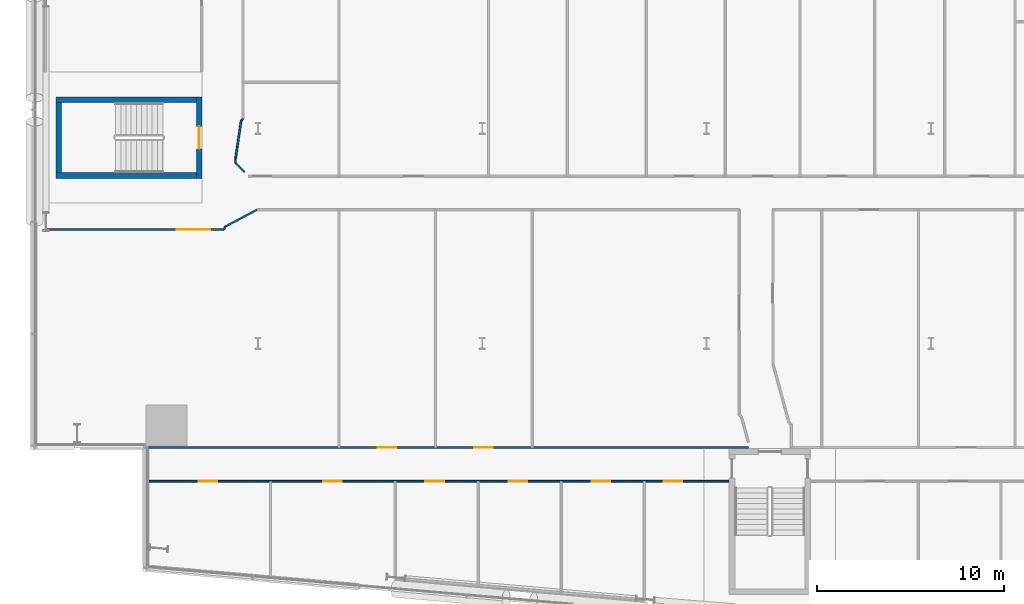
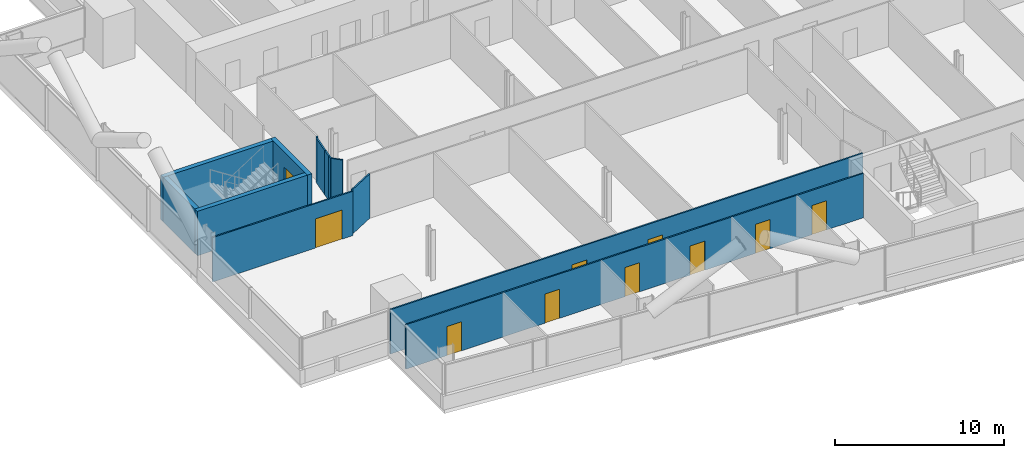
# One storey, part 13 of 28: 14 walls, 10 doors, 10 openings.
"""IFC4 building model written with IfcOpenShell, lengths in metres."""

from ifc_helpers import new_model, si_unit, direction, frame, frame_2d, origin, place, context, subcontext, project, spatial, rectangle, extrude, material, layer, layer_set, type_object, element, fill, save


model = new_model("IFC4")

# Units and contexts
model_context = context("Model", 3, precision=1e-05, world=origin(), true_north=direction((0.0, 1.0)))
body_context = subcontext(model_context, "Body", "Model", "MODEL_VIEW")
ifc_project = project(units=[si_unit("LENGTHUNIT", "METRE"), si_unit("AREAUNIT", "SQUARE_METRE"), si_unit("VOLUMEUNIT", "CUBIC_METRE"), si_unit("PLANEANGLEUNIT", "RADIAN"), si_unit("MASSUNIT", "GRAM", prefix="KILO")], contexts=[model_context])

# Site, building, storey
site_placement = place(None, origin())
site = spatial("IfcSite", under=ifc_project, at=site_placement, CompositionType="ELEMENT")
building_placement = place(site_placement, origin())
building = spatial("IfcBuilding", under=site, at=building_placement, Name="Wharfspan Tower", CompositionType="ELEMENT")
storey_placement = place(building_placement, frame((0.0, 0.0, 52.300049)))
storey = spatial("IfcBuildingStorey", under=building, at=storey_placement, Name="L09", CompositionType="ELEMENT", Elevation=52.300049)

# Wall, opening, door
ifc_material_1 = material(Name="Gypsum board on steel studs", Category="steel")
ifc_layer_1 = layer(ifc_material_1, 0.100098)
ifc_layer_set_1 = layer_set([ifc_layer_1], Name="Gypsum board on steel studs")
wall_type_1 = type_object("IfcWallType", Name="Compartment wall 100 EI 60", PredefinedType="PARTITIONING", material=ifc_layer_set_1)
wall_1_placement = place(storey_placement, frame((0.629883, 17.590088, 0.0), z_axis=(0.0, 0.0, 1.0), x_axis=(1.0, 0.0, 0.0)))
wall_1 = element("IfcWall", 1, at=wall_1_placement, inside=storey, type_object=wall_type_1, Name="Partition L09.w001", PredefinedType="PARTITIONING", context=body_context, shape_type="SweptSolid", body=[
    extrude(rectangle(XDim=9.550049, YDim=0.100098, at=frame_2d((4.774902, 0.0))), origin(), (0.0, 0.0, 1.0), 3.199951),
])
opening_1_placement = place(wall_1_placement, frame((7.024902, 0.0, 0.0)))
opening_1 = element("IfcOpeningElement", 2, at=opening_1_placement, cuts=wall_1, Name="Opening A2-21", PredefinedType="OPENING", context=body_context, shape_type="SweptSolid", body=[
    extrude(rectangle(XDim=1.800049, YDim=2.100098, at=frame_2d((0.899902, 1.050049))), frame((0.0, 0.060059, 0.0), z_axis=(0.0, -1.0, 0.0), x_axis=(1.0, 0.0, 0.0)), (0.0, 0.0, 1.0), 0.120117),
])
ifc_material_2 = material(Name="Fire-rated timber door leaf in steel frame", Category="steel")
door_type_1 = type_object("IfcDoorType", Name="Door 1800 FD30S Double", OperationType="DOUBLE_DOOR_SINGLE_SWING", PredefinedType="DOOR", material=ifc_material_2)
door_1_placement = place(opening_1_placement, origin())
door_1 = element("IfcDoor", 3, at=door_1_placement, inside=storey, type_object=door_type_1, Name="Door A2-21", OperationType="DOUBLE_DOOR_SINGLE_SWING", OverallHeight=2.100098, OverallWidth=1.800049, PredefinedType="DOOR", context=body_context, shape_type="SweptSolid", body=[
    extrude(rectangle(XDim=1.800049, YDim=2.100098, at=frame_2d((0.899902, 1.050049))), frame((0.0, 0.024902, 0.0), z_axis=(0.0, -1.0, 0.0), x_axis=(1.0, 0.0, 0.0)), (0.0, 0.0, 1.0), 0.050049),
])
fill(opening_1, door_1)

# Wall, openings, doors
wall_2_placement = place(storey_placement, frame((6.02002, 4.120117, 0.0), z_axis=(0.0, 0.0, 1.0), x_axis=(1.0, 0.0, 0.0)))
wall_2 = element("IfcWall", 4, at=wall_2_placement, inside=storey, type_object=wall_type_1, Name="Partition L09.w004", PredefinedType="PARTITIONING", context=body_context, shape_type="SweptSolid", body=[
    extrude(rectangle(XDim=31.188232, YDim=0.100098, at=frame_2d((15.594238, 0.0))), origin(), (0.0, 0.0, 1.0), 3.199951),
])
opening_2_placement = place(wall_2_placement, frame((2.804932, 0.0, 0.0)))
opening_2 = element("IfcOpeningElement", 5, at=opening_2_placement, cuts=wall_2, Name="Opening A2-01", PredefinedType="OPENING", context=body_context, shape_type="SweptSolid", body=[
    extrude(rectangle(XDim=1.0, YDim=2.100098, at=frame_2d((0.5, 1.050049))), frame((0.0, 0.060059, 0.0), z_axis=(0.0, -1.0, 0.0), x_axis=(1.0, 0.0, 0.0)), (0.0, 0.0, 1.0), 0.120117),
])
opening_3_placement = place(wall_2_placement, frame((9.475098, 0.0, 0.0)))
opening_3 = element("IfcOpeningElement", 6, at=opening_3_placement, cuts=wall_2, Name="Opening A2-02", PredefinedType="OPENING", context=body_context, shape_type="SweptSolid", body=[
    extrude(rectangle(XDim=1.0, YDim=2.100098, at=frame_2d((0.5, 1.050049))), frame((0.0, 0.060059, 0.0), z_axis=(0.0, -1.0, 0.0), x_axis=(1.0, 0.0, 0.0)), (0.0, 0.0, 1.0), 0.120117),
])
opening_4_placement = place(wall_2_placement, frame((14.939941, 0.0, 0.0)))
opening_4 = element("IfcOpeningElement", 7, at=opening_4_placement, cuts=wall_2, Name="Opening A2-03", PredefinedType="OPENING", context=body_context, shape_type="SweptSolid", body=[
    extrude(rectangle(XDim=1.0, YDim=2.100098, at=frame_2d((0.5, 1.050049))), frame((0.0, 0.060059, 0.0), z_axis=(0.0, -1.0, 0.0), x_axis=(1.0, 0.0, 0.0)), (0.0, 0.0, 1.0), 0.120117),
])
opening_5_placement = place(wall_2_placement, frame((19.38501, 0.0, 0.0)))
opening_5 = element("IfcOpeningElement", 8, at=opening_5_placement, cuts=wall_2, Name="Opening A2-04", PredefinedType="OPENING", context=body_context, shape_type="SweptSolid", body=[
    extrude(rectangle(XDim=1.0, YDim=2.100098, at=frame_2d((0.5, 1.050049))), frame((0.0, 0.060059, 0.0), z_axis=(0.0, -1.0, 0.0), x_axis=(1.0, 0.0, 0.0)), (0.0, 0.0, 1.0), 0.120117),
])
opening_6_placement = place(wall_2_placement, frame((23.830078, 0.0, 0.0)))
opening_6 = element("IfcOpeningElement", 9, at=opening_6_placement, cuts=wall_2, Name="Opening A2-05", PredefinedType="OPENING", context=body_context, shape_type="SweptSolid", body=[
    extrude(rectangle(XDim=1.0, YDim=2.100098, at=frame_2d((0.5, 1.050049))), frame((0.0, 0.060059, 0.0), z_axis=(0.0, -1.0, 0.0), x_axis=(1.0, 0.0, 0.0)), (0.0, 0.0, 1.0), 0.120117),
])
opening_7_placement = place(wall_2_placement, frame((27.675049, 0.0, 0.0)))
opening_7 = element("IfcOpeningElement", 10, at=opening_7_placement, cuts=wall_2, Name="Opening A2-06", PredefinedType="OPENING", context=body_context, shape_type="SweptSolid", body=[
    extrude(rectangle(XDim=1.0, YDim=2.100098, at=frame_2d((0.5, 1.050049))), frame((0.0, 0.060059, 0.0), z_axis=(0.0, -1.0, 0.0), x_axis=(1.0, 0.0, 0.0)), (0.0, 0.0, 1.0), 0.120117),
])
door_type_2 = type_object("IfcDoorType", Name="Door 1000 FD30S Left", OperationType="SINGLE_SWING_LEFT", PredefinedType="DOOR", material=ifc_material_2)
door_2_placement = place(opening_2_placement, origin())
door_2 = element("IfcDoor", 11, at=door_2_placement, inside=storey, type_object=door_type_2, Name="Door A2-01", OperationType="SINGLE_SWING_LEFT", OverallHeight=2.100098, OverallWidth=1.0, PredefinedType="DOOR", context=body_context, shape_type="SweptSolid", body=[
    extrude(rectangle(XDim=1.0, YDim=2.100098, at=frame_2d((0.5, 1.050049))), frame((0.0, 0.024902, 0.0), z_axis=(0.0, -1.0, 0.0), x_axis=(1.0, 0.0, 0.0)), (0.0, 0.0, 1.0), 0.050049),
])
fill(opening_2, door_2)
door_3_placement = place(opening_3_placement, origin())
door_3 = element("IfcDoor", 12, at=door_3_placement, inside=storey, type_object=door_type_2, Name="Door A2-02", OperationType="SINGLE_SWING_LEFT", OverallHeight=2.100098, OverallWidth=1.0, PredefinedType="DOOR", context=body_context, shape_type="SweptSolid", body=[
    extrude(rectangle(XDim=1.0, YDim=2.100098, at=frame_2d((0.5, 1.050049))), frame((0.0, 0.024902, 0.0), z_axis=(0.0, -1.0, 0.0), x_axis=(1.0, 0.0, 0.0)), (0.0, 0.0, 1.0), 0.050049),
])
fill(opening_3, door_3)
door_4_placement = place(opening_4_placement, origin())
door_4 = element("IfcDoor", 13, at=door_4_placement, inside=storey, type_object=door_type_2, Name="Door A2-03", OperationType="SINGLE_SWING_LEFT", OverallHeight=2.100098, OverallWidth=1.0, PredefinedType="DOOR", context=body_context, shape_type="SweptSolid", body=[
    extrude(rectangle(XDim=1.0, YDim=2.100098, at=frame_2d((0.5, 1.050049))), frame((0.0, 0.024902, 0.0), z_axis=(0.0, -1.0, 0.0), x_axis=(1.0, 0.0, 0.0)), (0.0, 0.0, 1.0), 0.050049),
])
fill(opening_4, door_4)
door_type_3 = type_object("IfcDoorType", Name="Door 1000 FD30S Right", OperationType="SINGLE_SWING_RIGHT", PredefinedType="DOOR", material=ifc_material_2)
door_5_placement = place(opening_5_placement, origin())
door_5 = element("IfcDoor", 14, at=door_5_placement, inside=storey, type_object=door_type_3, Name="Door A2-04", OperationType="SINGLE_SWING_RIGHT", OverallHeight=2.100098, OverallWidth=1.0, PredefinedType="DOOR", context=body_context, shape_type="SweptSolid", body=[
    extrude(rectangle(XDim=1.0, YDim=2.100098, at=frame_2d((0.5, 1.050049))), frame((0.0, 0.024902, 0.0), z_axis=(0.0, -1.0, 0.0), x_axis=(1.0, 0.0, 0.0)), (0.0, 0.0, 1.0), 0.050049),
])
fill(opening_5, door_5)
door_6_placement = place(opening_6_placement, origin())
door_6 = element("IfcDoor", 15, at=door_6_placement, inside=storey, type_object=door_type_3, Name="Door A2-05", OperationType="SINGLE_SWING_RIGHT", OverallHeight=2.100098, OverallWidth=1.0, PredefinedType="DOOR", context=body_context, shape_type="SweptSolid", body=[
    extrude(rectangle(XDim=1.0, YDim=2.100098, at=frame_2d((0.5, 1.050049))), frame((0.0, 0.024902, 0.0), z_axis=(0.0, -1.0, 0.0), x_axis=(1.0, 0.0, 0.0)), (0.0, 0.0, 1.0), 0.050049),
])
fill(opening_6, door_6)
door_7_placement = place(opening_7_placement, origin())
door_7 = element("IfcDoor", 16, at=door_7_placement, inside=storey, type_object=door_type_3, Name="Door A2-06", OperationType="SINGLE_SWING_RIGHT", OverallHeight=2.100098, OverallWidth=1.0, PredefinedType="DOOR", context=body_context, shape_type="SweptSolid", body=[
    extrude(rectangle(XDim=1.0, YDim=2.100098, at=frame_2d((0.5, 1.050049))), frame((0.0, 0.024902, 0.0), z_axis=(0.0, -1.0, 0.0), x_axis=(1.0, 0.0, 0.0)), (0.0, 0.0, 1.0), 0.050049),
])
fill(opening_7, door_7)

wall_3_placement = place(storey_placement, frame((6.02002, 5.925049, 0.0), z_axis=(0.0, 0.0, 1.0), x_axis=(1.0, 0.0, 0.0)))
wall_3 = element("IfcWall", 17, at=wall_3_placement, inside=storey, type_object=wall_type_1, Name="Partition L09.w005", PredefinedType="PARTITIONING", context=body_context, shape_type="SweptSolid", body=[
    extrude(rectangle(XDim=32.209961, YDim=0.100098, at=frame_2d((16.10498, 0.0))), origin(), (0.0, 0.0, 1.0), 3.199951),
])
opening_8_placement = place(wall_3_placement, frame((12.379883, 0.0, 0.0)))
opening_8 = element("IfcOpeningElement", 18, at=opening_8_placement, cuts=wall_3, Name="Opening A2-13", PredefinedType="OPENING", context=body_context, shape_type="SweptSolid", body=[
    extrude(rectangle(XDim=1.0, YDim=2.100098, at=frame_2d((0.5, 1.050049))), frame((0.0, 0.060059, 0.0), z_axis=(0.0, -1.0, 0.0), x_axis=(1.0, 0.0, 0.0)), (0.0, 0.0, 1.0), 0.120117),
])
opening_9_placement = place(wall_3_placement, frame((17.544922, 0.0, 0.0)))
opening_9 = element("IfcOpeningElement", 19, at=opening_9_placement, cuts=wall_3, Name="Opening A2-14", PredefinedType="OPENING", context=body_context, shape_type="SweptSolid", body=[
    extrude(rectangle(XDim=1.0, YDim=2.100098, at=frame_2d((0.5, 1.050049))), frame((0.0, 0.060059, 0.0), z_axis=(0.0, -1.0, 0.0), x_axis=(1.0, 0.0, 0.0)), (0.0, 0.0, 1.0), 0.120117),
])
door_8_placement = place(opening_8_placement, origin())
door_8 = element("IfcDoor", 20, at=door_8_placement, inside=storey, type_object=door_type_2, Name="Door A2-13", OperationType="SINGLE_SWING_LEFT", OverallHeight=2.100098, OverallWidth=1.0, PredefinedType="DOOR", context=body_context, shape_type="SweptSolid", body=[
    extrude(rectangle(XDim=1.0, YDim=2.100098, at=frame_2d((0.5, 1.050049))), frame((0.0, 0.024902, 0.0), z_axis=(0.0, -1.0, 0.0), x_axis=(1.0, 0.0, 0.0)), (0.0, 0.0, 1.0), 0.050049),
])
fill(opening_8, door_8)
door_9_placement = place(opening_9_placement, origin())
door_9 = element("IfcDoor", 21, at=door_9_placement, inside=storey, type_object=door_type_3, Name="Door A2-14", OperationType="SINGLE_SWING_RIGHT", OverallHeight=2.100098, OverallWidth=1.0, PredefinedType="DOOR", context=body_context, shape_type="SweptSolid", body=[
    extrude(rectangle(XDim=1.0, YDim=2.100098, at=frame_2d((0.5, 1.050049))), frame((0.0, 0.024902, 0.0), z_axis=(0.0, -1.0, 0.0), x_axis=(1.0, 0.0, 0.0)), (0.0, 0.0, 1.0), 0.050049),
])
fill(opening_9, door_9)

# Walls
wall_4_placement = place(storey_placement, frame((10.179932, 17.590088, 0.0), z_axis=(0.0, 0.0, 1.0), x_axis=(0.435266, 0.900306, 0.0)))
element("IfcWall", 22, at=wall_4_placement, inside=storey, type_object=wall_type_1, Name="Partition L09.w007", PredefinedType="PARTITIONING", context=body_context, shape_type="SweptSolid", body=[
    extrude(rectangle(XDim=0.172119, YDim=0.100098, at=frame_2d((0.085938, 0.0))), origin(), (0.0, 0.0, 1.0), 3.199951),
])
wall_5_placement = place(storey_placement, frame((10.254883, 17.745117, 0.0), z_axis=(0.0, 0.0, 1.0), x_axis=(0.882644, 0.470051, 0.0)))
element("IfcWall", 23, at=wall_5_placement, inside=storey, type_object=wall_type_1, Name="Partition L09.w008", PredefinedType="PARTITIONING", context=body_context, shape_type="SweptSolid", body=[
    extrude(rectangle(XDim=1.903564, YDim=0.100098, at=frame_2d((0.95166, 0.0))), origin(), (0.0, 0.0, 1.0), 3.199951),
])
wall_6_placement = place(storey_placement, frame((10.800049, 21.14502, 0.0), z_axis=(0.0, 0.0, 1.0), x_axis=(0.0, 1.0, 0.0)))
element("IfcWall", 24, at=wall_6_placement, inside=storey, type_object=wall_type_1, Name="Partition L09.w009", PredefinedType="PARTITIONING", context=body_context, shape_type="SweptSolid", body=[
    extrude(rectangle(XDim=0.225098, YDim=0.100098, at=frame_2d((0.112549, 0.0))), origin(), (0.0, 0.0, 1.0), 3.199951),
])
wall_7_placement = place(storey_placement, frame((10.800049, 21.370117, 0.0), z_axis=(0.0, 0.0, 1.0), x_axis=(0.142287, 0.989823, 0.0)))
element("IfcWall", 25, at=wall_7_placement, inside=storey, type_object=wall_type_1, Name="Partition L09.w010", PredefinedType="PARTITIONING", context=body_context, shape_type="SweptSolid", body=[
    extrude(rectangle(XDim=0.631348, YDim=0.100098, at=frame_2d((0.315674, 0.0))), origin(), (0.0, 0.0, 1.0), 3.199951),
])
wall_8_placement = place(storey_placement, frame((10.889893, 21.995117, 0.0), z_axis=(0.0, 0.0, 1.0), x_axis=(0.147988, 0.988993, 0.0)))
element("IfcWall", 26, at=wall_8_placement, inside=storey, type_object=wall_type_1, Name="Partition L09.w011", PredefinedType="PARTITIONING", context=body_context, shape_type="SweptSolid", body=[
    extrude(rectangle(XDim=1.42041, YDim=0.100098, at=frame_2d((0.710205, 0.0))), origin(), (0.0, 0.0, 1.0), 3.199951),
])
wall_9_placement = place(storey_placement, frame((11.100098, 23.399902, 0.0), z_axis=(0.0, 0.0, 1.0), x_axis=(0.65566, 0.755051, 0.0)))
element("IfcWall", 27, at=wall_9_placement, inside=storey, type_object=wall_type_1, Name="Partition L09.w012", PredefinedType="PARTITIONING", context=body_context, shape_type="SweptSolid", body=[
    extrude(rectangle(XDim=0.152344, YDim=0.100098, at=frame_2d((0.076172, 0.0))), origin(), (0.0, 0.0, 1.0), 3.199951),
])
wall_10_placement = place(storey_placement, frame((11.294922, 20.655029, 0.0), z_axis=(0.0, 0.0, 1.0), x_axis=(-0.7106, 0.703589, 0.0)))
element("IfcWall", 28, at=wall_10_placement, inside=storey, type_object=wall_type_1, Name="Partition L09.w016", PredefinedType="PARTITIONING", context=body_context, shape_type="SweptSolid", body=[
    extrude(rectangle(XDim=0.696533, YDim=0.100098, at=frame_2d((0.348145, 0.0))), origin(), (0.0, 0.0, 1.0), 3.199951),
])

# Wall, opening, door
ifc_material_3 = material(Name="Concrete C40/50", Category="concrete")
ifc_layer_2 = layer(ifc_material_3, 0.300049)
ifc_layer_set_2 = layer_set([ifc_layer_2], Name="Concrete C40/50")
wall_type_2 = type_object("IfcWallType", Name="Stair core wall 300", PredefinedType="SHEAR", material=ifc_layer_set_2)
wall_11_placement = place(storey_placement, frame((8.850098, 20.324951, 0.0), z_axis=(0.0, 0.0, 1.0), x_axis=(0.0, 1.0, 0.0)))
wall_11 = element("IfcWall", 29, at=wall_11_placement, inside=storey, type_object=wall_type_2, Name="ST3 stair enclosure wall L09", PredefinedType="SHEAR", context=body_context, shape_type="SweptSolid", body=[
    extrude(rectangle(XDim=4.350098, YDim=0.300049, at=frame_2d((2.175049, 0.0))), origin(), (0.0, 0.0, 1.0), 3.199951),
])
opening_10_placement = place(wall_11_placement, frame((1.574951, 0.0, 0.0)))
opening_10 = element("IfcOpeningElement", 30, at=opening_10_placement, cuts=wall_11, Name="Opening SD3.L09", PredefinedType="OPENING", context=body_context, shape_type="SweptSolid", body=[
    extrude(rectangle(XDim=1.199951, YDim=2.100098, at=frame_2d((0.600098, 1.050049))), frame((0.0, 0.159912, 0.0), z_axis=(0.0, -1.0, 0.0), x_axis=(1.0, 0.0, 0.0)), (0.0, 0.0, 1.0), 0.320068),
])
ifc_material_4 = material(Name="Steel door leaf", Category="steel")
door_type_4 = type_object("IfcDoorType", Name="Stair door 1200x2100", OperationType="SINGLE_SWING_LEFT", PredefinedType="DOOR", material=ifc_material_4)
door_10_placement = place(opening_10_placement, origin())
door_10 = element("IfcDoor", 31, at=door_10_placement, inside=storey, type_object=door_type_4, Name="sd:L09:ST3z1", OperationType="SINGLE_SWING_RIGHT", OverallHeight=2.100098, OverallWidth=1.199951, PredefinedType="DOOR", context=body_context, shape_type="SweptSolid", body=[
    extrude(rectangle(XDim=1.199951, YDim=2.100098, at=frame_2d((0.600098, 1.050049))), frame((0.0, 0.024902, 0.0), z_axis=(0.0, -1.0, 0.0), x_axis=(1.0, 0.0, 0.0)), (0.0, 0.0, 1.0), 0.050049),
])
fill(opening_10, door_10)

# Walls
for number, where, z_axis, x_axis, name in (
    (32, (1.199951, 20.475098, 0.0), (0.0, 0.0, 1.0), (1.0, 0.0, 0.0), "ST3 stair enclosure wall L09"),
    (33, (1.199951, 24.524902, 0.0), (0.0, 0.0, 1.0), (1.0, 0.0, 0.0), "ST3 stair enclosure wall L09"),
):
    element("IfcWall", number, at=place(storey_placement, frame(where, z_axis=z_axis, x_axis=x_axis)), inside=storey, type_object=wall_type_2, Name=name, PredefinedType="SHEAR", context=body_context, shape_type="SweptSolid", body=[
        extrude(rectangle(XDim=7.5, YDim=0.300049, at=frame_2d((3.75, 0.0))), origin(), (0.0, 0.0, 1.0), 3.199951),
    ])
wall_12_placement = place(storey_placement, frame((1.350098, 20.625, 0.0), z_axis=(0.0, 0.0, 1.0), x_axis=(0.0, 1.0, 0.0)))
element("IfcWall", 34, at=wall_12_placement, inside=storey, type_object=wall_type_2, Name="ST3 stair enclosure wall L09", PredefinedType="SHEAR", context=body_context, shape_type="SweptSolid", body=[
    extrude(rectangle(XDim=3.75, YDim=0.300049, at=frame_2d((1.875, 0.0))), origin(), (0.0, 0.0, 1.0), 3.199951),
])

save(model, "model.ifc")
